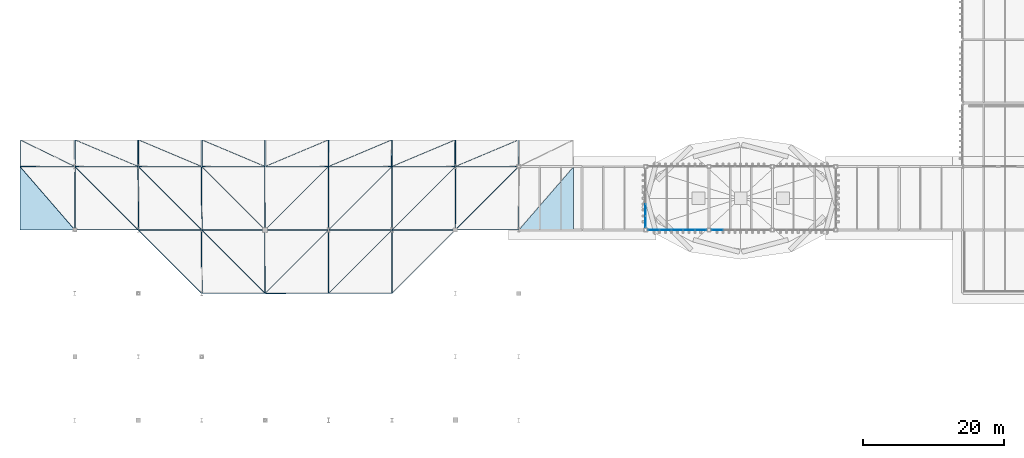
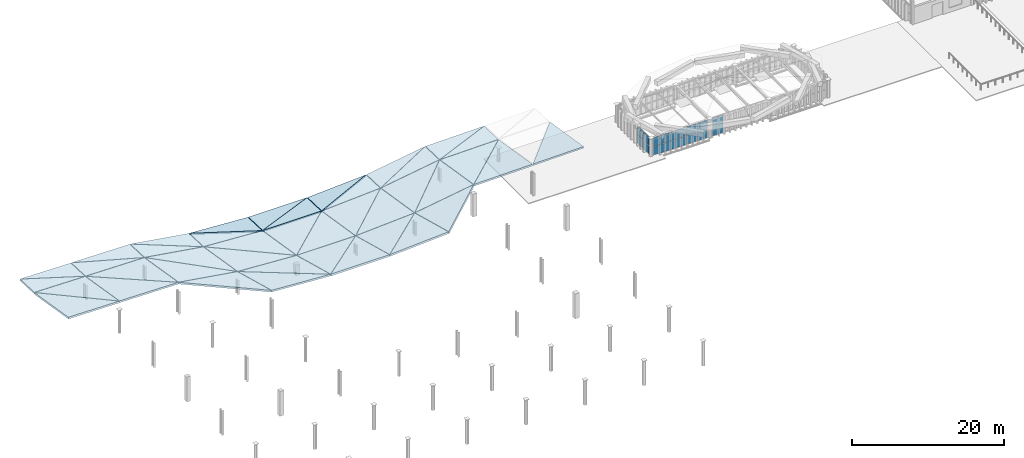
# One storey, part 79 of 102: 41 slabs, 16 plates, 3 elements without a shape of their own.
"""IFC4 building model written with IfcOpenShell, lengths in metres."""

from ifc_helpers import new_model, si_unit, direction, frame, origin, origin_2d, place, context, subcontext, project, spatial, polyline, rectangle, outline, extrude, material, layer, layer_set, type_object, element, aggregate, save


model = new_model("IFC4")

# Units and contexts
model_context = context("Model", 3, precision=1e-05, world=origin(), true_north=direction((0.0, 1.0)))
body_context = subcontext(model_context, "Body", "Model", "MODEL_VIEW")
ifc_project = project(units=[si_unit("LENGTHUNIT", "METRE"), si_unit("AREAUNIT", "SQUARE_METRE"), si_unit("VOLUMEUNIT", "CUBIC_METRE"), si_unit("PLANEANGLEUNIT", "RADIAN"), si_unit("MASSUNIT", "GRAM", prefix="KILO")], contexts=[model_context])

# Site, building, storey
site_placement = place(None, origin())
site = spatial("IfcSite", under=ifc_project, at=site_placement, CompositionType="ELEMENT")
building_placement = place(site_placement, origin())
building = spatial("IfcBuilding", under=site, at=building_placement, Name="Barlavento Convention Centre", CompositionType="ELEMENT")
storey_placement = place(building_placement, frame((0.0, 0.0, 22.800048828125)))
storey = spatial("IfcBuildingStorey", under=building, at=storey_placement, Name="L04", CompositionType="ELEMENT", Elevation=22.800048828125)

# Curtain wall, plates
ifc_material_1 = material(Name="Powder-coated aluminium and Low-E glass", Category="aluminium")
ifc_layer_1 = layer(ifc_material_1, 0.18505859375)
ifc_layer_set_1 = layer_set([ifc_layer_1], Name="ARC-CW-CONF-L04")
curtain_wall_type = type_object("IfcCurtainWallType", Name="ARC-CW-CONF-L04", PredefinedType="NOTDEFINED", material=ifc_layer_set_1)
curtain_wall_1_placement = place(storey_placement, origin())
curtain_wall_1 = element("IfcCurtainWall", 1, at=curtain_wall_1_placement, inside=storey, type_object=curtain_wall_type, Name="L04 unitised curtain wall CW09", PredefinedType="NOTDEFINED")
ifc_material_2 = material(Name="Double-silver Low-E acoustic laminated glass", Category="glass")
ifc_layer_2 = layer(ifc_material_2, 0.031982421875)
ifc_layer_set_2 = layer_set([ifc_layer_2], Name="ARC-CWP-GLZ32")
plate_type = type_object("IfcPlateType", Name="ARC-CWP-GLZ32", PredefinedType="CURTAIN_PANEL", material=ifc_layer_set_2)
plate_1_placement = place(storey_placement, frame((82.183349609375, 45.0, 0.06494140625), z_axis=(0.0, 0.0, 1.0), x_axis=(1.0, 0.0, 0.0)))
plate_1 = element("IfcPlate", 2, at=plate_1_placement, type_object=plate_type, Name="CW09 panel 1.1", PredefinedType="CURTAIN_PANEL", context=body_context, shape_type="SweptSolid", body=[
    extrude(rectangle(XDim=1.56884765625, YDim=0.031982421875, at=origin_2d()), origin(), (0.0, 0.0, 1.0), 1.402587890625),
])
plate_2_placement = place(storey_placement, frame((82.183349609375, 45.0, 1.5322265625), z_axis=(0.0, 0.0, 1.0), x_axis=(1.0, 0.0, 0.0)))
plate_2 = element("IfcPlate", 3, at=plate_2_placement, type_object=plate_type, Name="CW09 panel 1.2", PredefinedType="CURTAIN_PANEL", context=body_context, shape_type="SweptSolid", body=[
    extrude(rectangle(XDim=1.56884765625, YDim=0.031982421875, at=origin_2d()), origin(), (0.0, 0.0, 1.0), 1.402587890625),
])
plate_3_placement = place(storey_placement, frame((83.83349609375, 45.0, 0.06494140625), z_axis=(0.0, 0.0, 1.0), x_axis=(1.0, 0.0, 0.0)))
plate_3 = element("IfcPlate", 4, at=plate_3_placement, type_object=plate_type, Name="CW09 panel 2.1", PredefinedType="CURTAIN_PANEL", context=body_context, shape_type="SweptSolid", body=[
    extrude(rectangle(XDim=1.601318359375, YDim=0.031982421875, at=origin_2d()), origin(), (0.0, 0.0, 1.0), 1.402587890625),
])
plate_4_placement = place(storey_placement, frame((83.83349609375, 45.0, 1.5322265625), z_axis=(0.0, 0.0, 1.0), x_axis=(1.0, 0.0, 0.0)))
plate_4 = element("IfcPlate", 5, at=plate_4_placement, type_object=plate_type, Name="CW09 panel 2.2", PredefinedType="CURTAIN_PANEL", context=body_context, shape_type="SweptSolid", body=[
    extrude(rectangle(XDim=1.601318359375, YDim=0.031982421875, at=origin_2d()), origin(), (0.0, 0.0, 1.0), 1.402587890625),
])
plate_5_placement = place(storey_placement, frame((85.5, 45.0, 0.06494140625), z_axis=(0.0, 0.0, 1.0), x_axis=(1.0, 0.0, 0.0)))
plate_5 = element("IfcPlate", 6, at=plate_5_placement, type_object=plate_type, Name="CW09 panel 3.1", PredefinedType="CURTAIN_PANEL", context=body_context, shape_type="SweptSolid", body=[
    extrude(rectangle(XDim=1.601318359375, YDim=0.031982421875, at=origin_2d()), origin(), (0.0, 0.0, 1.0), 1.402587890625),
])
plate_6_placement = place(storey_placement, frame((85.5, 45.0, 1.5322265625), z_axis=(0.0, 0.0, 1.0), x_axis=(1.0, 0.0, 0.0)))
plate_6 = element("IfcPlate", 7, at=plate_6_placement, type_object=plate_type, Name="CW09 panel 3.2", PredefinedType="CURTAIN_PANEL", context=body_context, shape_type="SweptSolid", body=[
    extrude(rectangle(XDim=1.601318359375, YDim=0.031982421875, at=origin_2d()), origin(), (0.0, 0.0, 1.0), 1.402587890625),
])
plate_7_placement = place(storey_placement, frame((87.16650390625, 45.0, 0.06494140625), z_axis=(0.0, 0.0, 1.0), x_axis=(1.0, 0.0, 0.0)))
plate_7 = element("IfcPlate", 8, at=plate_7_placement, type_object=plate_type, Name="CW09 panel 4.1", PredefinedType="CURTAIN_PANEL", context=body_context, shape_type="SweptSolid", body=[
    extrude(rectangle(XDim=1.601318359375, YDim=0.031982421875, at=origin_2d()), origin(), (0.0, 0.0, 1.0), 1.402587890625),
])
plate_8_placement = place(storey_placement, frame((87.16650390625, 45.0, 1.5322265625), z_axis=(0.0, 0.0, 1.0), x_axis=(1.0, 0.0, 0.0)))
plate_8 = element("IfcPlate", 9, at=plate_8_placement, type_object=plate_type, Name="CW09 panel 4.2", PredefinedType="CURTAIN_PANEL", context=body_context, shape_type="SweptSolid", body=[
    extrude(rectangle(XDim=1.601318359375, YDim=0.031982421875, at=origin_2d()), origin(), (0.0, 0.0, 1.0), 1.402587890625),
])
plate_9_placement = place(storey_placement, frame((88.816650390625, 45.0, 0.06494140625), z_axis=(0.0, 0.0, 1.0), x_axis=(1.0, 0.0, 0.0)))
plate_9 = element("IfcPlate", 10, at=plate_9_placement, type_object=plate_type, Name="CW09 panel 5.1", PredefinedType="CURTAIN_PANEL", context=body_context, shape_type="SweptSolid", body=[
    extrude(rectangle(XDim=1.56884765625, YDim=0.031982421875, at=origin_2d()), origin(), (0.0, 0.0, 1.0), 1.402587890625),
])
plate_10_placement = place(storey_placement, frame((88.816650390625, 45.0, 1.5322265625), z_axis=(0.0, 0.0, 1.0), x_axis=(1.0, 0.0, 0.0)))
plate_10 = element("IfcPlate", 11, at=plate_10_placement, type_object=plate_type, Name="CW09 panel 5.2", PredefinedType="CURTAIN_PANEL", context=body_context, shape_type="SweptSolid", body=[
    extrude(rectangle(XDim=1.56884765625, YDim=0.031982421875, at=origin_2d()), origin(), (0.0, 0.0, 1.0), 1.402587890625),
])
aggregate(curtain_wall_1, [plate_1, plate_2, plate_3, plate_4, plate_5, plate_6, plate_7, plate_8, plate_9, plate_10])

curtain_wall_2_placement = place(storey_placement, origin())
curtain_wall_2 = element("IfcCurtainWall", 12, at=curtain_wall_2_placement, inside=storey, type_object=curtain_wall_type, Name="L04 unitised curtain wall CW09", PredefinedType="NOTDEFINED")
plate_11_placement = place(storey_placement, frame((91.183349609375, 45.0, 0.06494140625), z_axis=(0.0, 0.0, 1.0), x_axis=(1.0, 0.0, 0.0)))
plate_11 = element("IfcPlate", 13, at=plate_11_placement, type_object=plate_type, Name="CW09 panel 1.1", PredefinedType="CURTAIN_PANEL", context=body_context, shape_type="SweptSolid", body=[
    extrude(rectangle(XDim=1.56884765625, YDim=0.031982421875, at=origin_2d()), origin(), (0.0, 0.0, 1.0), 1.402587890625),
])
plate_12_placement = place(storey_placement, frame((91.183349609375, 45.0, 1.5322265625), z_axis=(0.0, 0.0, 1.0), x_axis=(1.0, 0.0, 0.0)))
plate_12 = element("IfcPlate", 14, at=plate_12_placement, type_object=plate_type, Name="CW09 panel 1.2", PredefinedType="CURTAIN_PANEL", context=body_context, shape_type="SweptSolid", body=[
    extrude(rectangle(XDim=1.56884765625, YDim=0.031982421875, at=origin_2d()), origin(), (0.0, 0.0, 1.0), 1.402587890625),
])
aggregate(curtain_wall_2, [plate_11, plate_12])

curtain_wall_3_placement = place(storey_placement, origin())
curtain_wall_3 = element("IfcCurtainWall", 15, at=curtain_wall_3_placement, inside=storey, type_object=curtain_wall_type, Name="L04 unitised curtain wall CW09", PredefinedType="NOTDEFINED")
plate_13_placement = place(storey_placement, frame((81.0, 46.183349609375, 0.06494140625), z_axis=(0.0, 0.0, 1.0), x_axis=(0.0, 1.0, 0.0)))
plate_13 = element("IfcPlate", 16, at=plate_13_placement, type_object=plate_type, Name="CW09 panel 1.1", PredefinedType="CURTAIN_PANEL", context=body_context, shape_type="SweptSolid", body=[
    extrude(rectangle(XDim=1.56884765625, YDim=0.031982421875, at=origin_2d()), origin(), (0.0, 0.0, 1.0), 1.402587890625),
])
plate_14_placement = place(storey_placement, frame((81.0, 46.183349609375, 1.5322265625), z_axis=(0.0, 0.0, 1.0), x_axis=(0.0, 1.0, 0.0)))
plate_14 = element("IfcPlate", 17, at=plate_14_placement, type_object=plate_type, Name="CW09 panel 1.2", PredefinedType="CURTAIN_PANEL", context=body_context, shape_type="SweptSolid", body=[
    extrude(rectangle(XDim=1.56884765625, YDim=0.031982421875, at=origin_2d()), origin(), (0.0, 0.0, 1.0), 1.402587890625),
])
plate_15_placement = place(storey_placement, frame((81.0, 47.83349609375, 0.06494140625), z_axis=(0.0, 0.0, 1.0), x_axis=(0.0, 1.0, 0.0)))
plate_15 = element("IfcPlate", 18, at=plate_15_placement, type_object=plate_type, Name="CW09 panel 2.1", PredefinedType="CURTAIN_PANEL", context=body_context, shape_type="SweptSolid", body=[
    extrude(rectangle(XDim=1.601318359375, YDim=0.031982421875, at=origin_2d()), origin(), (0.0, 0.0, 1.0), 1.402587890625),
])
plate_16_placement = place(storey_placement, frame((81.0, 47.83349609375, 1.5322265625), z_axis=(0.0, 0.0, 1.0), x_axis=(0.0, 1.0, 0.0)))
plate_16 = element("IfcPlate", 19, at=plate_16_placement, type_object=plate_type, Name="CW09 panel 2.2", PredefinedType="CURTAIN_PANEL", context=body_context, shape_type="SweptSolid", body=[
    extrude(rectangle(XDim=1.601318359375, YDim=0.031982421875, at=origin_2d()), origin(), (0.0, 0.0, 1.0), 1.402587890625),
])
aggregate(curtain_wall_3, [plate_13, plate_14, plate_15, plate_16])

# Slabs
ifc_material_3 = material(Name="Concrete C40/50", Category="concrete")
ifc_layer_3 = layer(ifc_material_3, 0.239990234375)
ifc_layer_set_3 = layer_set([ifc_layer_3], Name="STR-SLB-CONG-150")
slab_type_1 = type_object("IfcSlabType", Name="STR-SLB-CONG-150", PredefinedType="ROOF", material=ifc_layer_set_3)
slab_1_placement = place(storey_placement, frame((-0.02294921875, 54.022216796875, 3.62451171875), z_axis=(0.014498024225, 0.036450141525, 0.99923030102), x_axis=(-0.001555788706, 0.999334945686, -0.036431385539)))
element("IfcSlab", 20, at=slab_1_placement, inside=storey, type_object=slab_type_1, Name="Congress sweeping roof facet CRF-16", PredefinedType="ROOF", context=body_context, shape_type="SweptSolid", body=[
    extrude(outline(polyline([(0.0, 0.0), (3.7661765869865746, -1.3010426069826053e-18), (3.7807232683652505, 7.740790543622349), (0.0, 0.0)])), origin(), (0.0, 0.0, -1.0), 0.239990234375),
])
slab_2_placement = place(storey_placement, frame((8.985595703125, 45.028564453125, 4.94921875), z_axis=(0.014393017532, 0.160149133722, 0.98698789051), x_axis=(-0.000915619643, 0.9870918352, -0.160152647567)))
element("IfcSlab", 21, at=slab_2_placement, inside=storey, type_object=slab_type_1, Name="Congress sweeping roof facet CRF-30", PredefinedType="ROOF", context=body_context, shape_type="SweptSolid", body=[
    extrude(outline(polyline([(0.0, 0.0), (9.065752698622882, 3.469446951953614e-18), (9.061456188425241, 8.94966520428014), (0.0, 0.0)])), origin(), (0.0, 0.0, -1.0), 0.239990234375),
])
slab_3_placement = place(storey_placement, frame((0.029541015625, 54.012451171875, 3.62451171875), z_axis=(0.014460430667, 0.036610654055, 0.999224977647), x_axis=(0.999895434566, -0.000655400531, -0.01444612003)))
element("IfcSlab", 22, at=slab_3_placement, inside=storey, type_object=slab_type_1, Name="Congress sweeping roof facet CRF-31", PredefinedType="ROOF", context=body_context, shape_type="SweptSolid", body=[
    extrude(outline(polyline([(0.0, 0.0), (8.940143814391618, 8.673617379884035e-19), (-0.0056025197989427854, 3.769369806917324), (0.0, 0.0)])), origin(), (0.0, 0.0, -1.0), 0.239990234375),
])
slab_4_placement = place(storey_placement, frame((17.985595703125, 36.028564453125, 5.952392578125), z_axis=(0.150341850091, 0.256191914007, 0.954862833767), x_axis=(-0.000895939439, 0.965875417278, -0.259005551275)))
element("IfcSlab", 23, at=slab_4_placement, inside=storey, type_object=slab_type_1, Name="Congress sweeping roof facet CRF-02", PredefinedType="ROOF", context=body_context, shape_type="SweptSolid", body=[
    extrude(outline(polyline([(0.0, 0.0), (9.2648910083783, 5.551115123125783e-17), (8.916573025451074, 9.051929798667667), (0.0, 0.0)])), origin(), (0.0, 0.0, -1.0), 0.239990234375),
])
slab_5_placement = place(storey_placement, frame((9.022705078125, 45.022705078125, 4.9501953125), z_axis=(0.153395213919, 0.158499639121, 0.975370582264), x_axis=(0.987880489252, -0.000916351193, -0.15521372122)))
element("IfcSlab", 24, at=slab_5_placement, inside=storey, type_object=slab_type_1, Name="Congress sweeping roof facet CRF-03", PredefinedType="ROOF", context=body_context, shape_type="SweptSolid", body=[
    extrude(outline(polyline([(0.0, 0.0), (9.058515241577993, 5.551115123125783e-17), (0.20910668498830715, 9.063497288085621), (0.0, 0.0)])), origin(), (0.0, 0.0, -1.0), 0.239990234375),
])
slab_6_placement = place(storey_placement, frame((18.022705078125, 36.022705078125, 5.948486328125), z_axis=(0.058218550271, 0.258616725866, 0.964224034915), x_axis=(0.998196659382, -0.000925920402, -0.060021428419)))
element("IfcSlab", 25, at=slab_6_placement, inside=storey, type_object=slab_type_1, Name="Congress sweeping roof facet CRF-17", PredefinedType="ROOF", context=body_context, shape_type="SweptSolid", body=[
    extrude(outline(polyline([(0.0, 0.0), (8.964897232062352, -2.7755575615628914e-17), (0.12745928884146368, 9.264014223154943), (0.0, 0.0)])), origin(), (0.0, 0.0, -1.0), 0.239990234375),
])
slab_7_placement = place(storey_placement, frame((26.9755859375, 54.0205078125, 1.537353515625), z_axis=(0.060204712679, 0.036478784645, 0.997519268406), x_axis=(-0.001360078781, 0.99933407583, -0.036463064465)))
element("IfcSlab", 26, at=slab_7_placement, inside=storey, type_object=slab_type_1, Name="Congress sweeping roof facet CRF-22", PredefinedType="ROOF", context=body_context, shape_type="SweptSolid", body=[
    extrude(outline(polyline([(0.0, 0.0), (3.7696001115745097, 1.734723475976807e-18), (3.7679488403311567, 8.95546428302473), (0.0, 0.0)])), origin(), (0.0, 0.0, -1.0), 0.239990234375),
])
slab_8_placement = place(storey_placement, frame((27.014404296875, 45.028564453125, 2.99267578125), z_axis=(-6.7766619e-05, 0.16015277558, 0.987092236765), x_axis=(0.702502594272, 0.702502594272, -0.113930724922)))
element("IfcSlab", 27, at=slab_8_placement, inside=storey, type_object=slab_type_1, Name="Congress sweeping roof facet CRF-36", PredefinedType="ROOF", context=body_context, shape_type="SweptSolid", body=[
    extrude(outline(polyline([(0.0, 0.0), (12.75017533462242, 3.0531133177191805e-16), (6.457754199163444, 6.3628046249884935), (0.0, 0.0)])), origin(), (0.0, 0.0, -1.0), 0.239990234375),
])
slab_9_placement = place(storey_placement, frame((27.03125, 54.006591796875, 1.538330078125), z_axis=(3.263683e-06, 0.036659503174, 0.999327814492), x_axis=(0.999999784807, 0.000655468929, -2.7311205e-05)))
element("IfcSlab", 28, at=slab_9_placement, inside=storey, type_object=slab_type_1, Name="Congress sweeping roof facet CRF-37", PredefinedType="ROOF", context=body_context, shape_type="SweptSolid", body=[
    extrude(outline(polyline([(0.0, 0.0), (8.93921090802822, -1.111307226797642e-18), (8.946810684329188, 3.769375251388679), (0.0, 0.0)])), origin(), (0.0, 0.0, -1.0), 0.239990234375),
])
slab_10_placement = place(storey_placement, frame((36.014404296875, 36.028564453125, 5.406494140625), z_axis=(-0.058164259426, 0.258740197879, 0.964194186317), x_axis=(0.69957886188, 0.69957886188, -0.145529488494)))
element("IfcSlab", 29, at=slab_10_placement, inside=storey, type_object=slab_type_1, Name="Congress sweeping roof facet CRF-08", PredefinedType="ROOF", context=body_context, shape_type="SweptSolid", body=[
    extrude(outline(polyline([(0.0, 0.0), (12.80346182263042, 4.996003610813204e-16), (6.615548406861343, 6.4868008065805824), (0.0, 0.0)])), origin(), (0.0, 0.0, -1.0), 0.239990234375),
])
slab_11_placement = place(storey_placement, frame((36.028564453125, 45.014404296875, 2.996337890625), z_axis=(-0.059423537406, 0.159923409306, 0.985339203705), x_axis=(0.998195027403, 0.000925918888, 0.060048563197)))
element("IfcSlab", 30, at=slab_11_placement, inside=storey, type_object=slab_type_1, Name="Congress sweeping roof facet CRF-09", PredefinedType="ROOF", context=body_context, shape_type="SweptSolid", body=[
    extrude(outline(polyline([(0.0, 0.0), (8.964911889043751, 0.0), (8.894298719251443, 9.06547769137622), (0.0, 0.0)])), origin(), (0.0, 0.0, -1.0), 0.239990234375),
])
slab_12_placement = place(storey_placement, frame((45.0244140625, 54.0205078125, 2.084716796875), z_axis=(-0.155507714997, 0.036039196998, 0.987177049397), x_axis=(0.913580320873, 0.38537150013, 0.129845308734)))
element("IfcSlab", 31, at=slab_12_placement, inside=storey, type_object=slab_type_1, Name="Congress sweeping roof facet CRF-28", PredefinedType="ROOF", context=body_context, shape_type="SweptSolid", body=[
    extrude(outline(polyline([(0.0, 0.0), (9.790420976833124, -4.718447854656915e-16), (1.4386606593893414, 3.4842416248388597), (0.0, 0.0)])), origin(), (0.0, 0.0, -1.0), 0.239990234375),
])
slab_13_placement = place(storey_placement, frame((54.014404296875, 45.028564453125, 4.94921875), z_axis=(-0.014393017532, 0.160149133722, 0.98698789051), x_axis=(0.703282755587, 0.703282755587, -0.103859190192)))
element("IfcSlab", 32, at=slab_13_placement, inside=storey, type_object=slab_type_1, Name="Congress sweeping roof facet CRF-42", PredefinedType="ROOF", context=body_context, shape_type="SweptSolid", body=[
    extrude(outline(polyline([(0.0, 0.0), (12.736031388287829, -8.881784197001252e-16), (6.450119223890579, 6.370544245995412), (0.0, 0.0)])), origin(), (0.0, 0.0, -1.0), 0.239990234375),
])
slab_14_placement = place(storey_placement, frame((54.03125, 54.006591796875, 3.495361328125), z_axis=(-0.014460430667, 0.036610654055, 0.999224977647), x_axis=(0.999895434566, 0.000655400531, 0.01444612003)))
element("IfcSlab", 33, at=slab_14_placement, inside=storey, type_object=slab_type_1, Name="Congress sweeping roof facet CRF-01", PredefinedType="ROOF", context=body_context, shape_type="SweptSolid", body=[
    extrude(outline(polyline([(0.0, 0.0), (8.940143814391618, -8.673617379884035e-19), (8.945746334190561, 3.769369806917324), (0.0, 0.0)])), origin(), (0.0, 0.0, -1.0), 0.239990234375),
])
slab_15_placement = place(storey_placement, frame((63.027587890625, 45.01611328125, 5.083251953125), z_axis=(-0.014217318549, 0.160266426702, 0.986971397927), x_axis=(0.999898140433, 0.001039264209, 0.014234770377)))
element("IfcSlab", 34, at=slab_15_placement, inside=storey, type_object=slab_type_1, Name="Congress sweeping roof facet CRF-15", PredefinedType="ROOF", context=body_context, shape_type="SweptSolid", body=[
    extrude(outline(polyline([(0.0, 0.0), (7.752254485031858, 3.469446951953614e-18), (7.749174282387221, 9.063700635314467), (0.0, 0.0)])), origin(), (0.0, 0.0, -1.0), 0.239990234375),
])
ifc_layer_4 = layer(ifc_material_3, 0.2548828125)
ifc_layer_set_4 = layer_set([ifc_layer_4], Name="STR-SLB-CONG-165")
slab_type_2 = type_object("IfcSlabType", Name="STR-SLB-CONG-165", PredefinedType="ROOF", material=ifc_layer_set_4)
slab_16_placement = place(storey_placement, frame((-0.0126953125, 45.029296875, 5.07958984375), z_axis=(0.014404384416, 0.160161198512, 0.98698576697), x_axis=(-0.0009158427, 0.987089875168, -0.160164726368)))
element("IfcSlab", 35, at=slab_16_placement, inside=storey, type_object=slab_type_2, Name="Congress sweeping roof facet CRF-14", PredefinedType="ROOF", context=body_context, shape_type="SweptSolid", body=[
    extrude(outline(polyline([(0.0, 0.0), (9.063544696576017, 0.0), (9.060687179754407, 7.7520308333568995), (0.0, 0.0)])), origin(), (0.0, 0.0, -1.0), 0.2548828125),
])
slab_17_placement = place(storey_placement, frame((-7.771240234375, 54.013916015625, 3.737548828125), z_axis=(0.014464963306, 0.03664430057, 0.999223678699), x_axis=(0.999895334876, -0.000819999959, -0.014444614666)))
element("IfcSlab", 36, at=slab_17_placement, inside=storey, type_object=slab_type_2, Name="Congress sweeping roof facet CRF-15", PredefinedType="ROOF", context=body_context, shape_type="SweptSolid", body=[
    extrude(outline(polyline([(0.0, 0.0), (7.741044592390498, 0.0), (-0.006952490264128661, 3.766196924026804), (0.0, 0.0)])), origin(), (0.0, 0.0, -1.0), 0.2548828125),
])
slab_18_placement = place(storey_placement, frame((0.022705078125, 45.022705078125, 5.080810546875), z_axis=(0.014231305603, 0.160280536565, 0.986968905052), x_axis=(0.999897789477, -0.000927498359, -0.014267107107)))
element("IfcSlab", 37, at=slab_18_placement, inside=storey, type_object=slab_type_2, Name="Congress sweeping roof facet CRF-29", PredefinedType="ROOF", context=body_context, shape_type="SweptSolid", body=[
    extrude(outline(polyline([(0.0, 0.0), (8.949645216665559, 0.0), (0.0041320243691073295, 9.06594733589952), (0.0, 0.0)])), origin(), (0.0, 0.0, -1.0), 0.2548828125),
])
slab_19_placement = place(storey_placement, frame((17.9755859375, 54.0205078125, 2.084716796875), z_axis=(0.155507714997, 0.036039196998, 0.987177049397), x_axis=(-0.001360088391, 0.999341136987, -0.036269023766)))
element("IfcSlab", 38, at=slab_19_placement, inside=storey, type_object=slab_type_2, Name="Congress sweeping roof facet CRF-06", PredefinedType="ROOF", context=body_context, shape_type="SweptSolid", body=[
    extrude(outline(polyline([(0.0, 0.0), (3.7695734762880413, -3.469446951953614e-18), (3.7365218072628723, 9.049350677670915), (0.0, 0.0)])), origin(), (0.0, 0.0, -1.0), 0.2548828125),
])
slab_20_placement = place(storey_placement, frame((26.985595703125, 45.028564453125, 2.99267578125), z_axis=(0.059477111219, 0.159922946739, 0.985336046406), x_axis=(-0.000915619643, 0.9870918352, -0.160152647567)))
element("IfcSlab", 39, at=slab_20_placement, inside=storey, type_object=slab_type_2, Name="Congress sweeping roof facet CRF-20", PredefinedType="ROOF", context=body_context, shape_type="SweptSolid", body=[
    extrude(outline(polyline([(0.0, 0.0), (9.065752698622882, 0.0), (8.995846778606403, 8.964668666049525), (0.0, 0.0)])), origin(), (0.0, 0.0, -1.0), 0.2548828125),
])
slab_21_placement = place(storey_placement, frame((18.029541015625, 54.012451171875, 2.077392578125), z_axis=(0.060177663896, 0.036416602109, 0.997523172592), x_axis=(0.998186495118, -0.000654280374, -0.06019379438)))
element("IfcSlab", 40, at=slab_21_placement, inside=storey, type_object=slab_type_2, Name="Congress sweeping roof facet CRF-21", PredefinedType="ROOF", context=body_context, shape_type="SweptSolid", body=[
    extrude(outline(polyline([(0.0, 0.0), (8.955449736194847, 0.0), (0.0006767832417717149, 3.7693471779856655), (0.0, 0.0)])), origin(), (0.0, 0.0, -1.0), 0.2548828125),
])
slab_22_placement = place(storey_placement, frame((27.014404296875, 36.028564453125, 5.406494140625), z_axis=(-2.9563744e-05, 0.259128591556, 0.965842829949), x_axis=(0.694718460086, 0.694718460086, -0.186366634435)))
element("IfcSlab", 41, at=slab_22_placement, inside=storey, type_object=slab_type_2, Name="Congress sweeping roof facet CRF-34", PredefinedType="ROOF", context=body_context, shape_type="SweptSolid", body=[
    extrude(outline(polyline([(0.0, 0.0), (12.893037632666482, -3.3306690738754696e-16), (6.67005867838927, 6.430737333667434), (0.0, 0.0)])), origin(), (0.0, 0.0, -1.0), 0.2548828125),
])
slab_23_placement = place(storey_placement, frame((27.028564453125, 45.014404296875, 2.996337890625), z_axis=(9.3686603e-05, 0.160283821462, 0.987070963913), x_axis=(0.999999539641, 0.000927592742, -0.000245539255)))
element("IfcSlab", 42, at=slab_23_placement, inside=storey, type_object=slab_type_2, Name="Congress sweeping roof facet CRF-35", PredefinedType="ROOF", context=body_context, shape_type="SweptSolid", body=[
    extrude(outline(polyline([(0.0, 0.0), (8.948734588380649, 1.1384122811097797e-18), (8.965692942468051, 9.065932416754253), (0.0, 0.0)])), origin(), (0.0, 0.0, -1.0), 0.2548828125),
])
slab_24_placement = place(storey_placement, frame((36.028564453125, 36.014404296875, 5.410400390625), z_axis=(-0.058218550271, 0.258616725866, 0.964224034915), x_axis=(0.998196659382, 0.000925920402, 0.060021428419)))
element("IfcSlab", 43, at=slab_24_placement, inside=storey, type_object=slab_type_2, Name="Congress sweeping roof facet CRF-07", PredefinedType="ROOF", context=body_context, shape_type="SweptSolid", body=[
    extrude(outline(polyline([(0.0, 0.0), (8.964897232062352, 2.7755575615628914e-17), (8.837437943220888, 9.264014223154945), (0.0, 0.0)])), origin(), (0.0, 0.0, -1.0), 0.2548828125),
])
slab_25_placement = place(storey_placement, frame((36.0244140625, 54.0205078125, 1.537353515625), z_axis=(-0.060204712679, 0.036478784645, 0.997519268406), x_axis=(0.920592037581, 0.388329221225, 0.041360806143)))
element("IfcSlab", 44, at=slab_25_placement, inside=storey, type_object=slab_type_2, Name="Congress sweeping roof facet CRF-12", PredefinedType="ROOF", context=body_context, shape_type="SweptSolid", body=[
    extrude(outline(polyline([(0.0, 0.0), (9.715851943493403, 1.214306433183765e-16), (1.4619058062562806, 3.474581473331246), (0.0, 0.0)])), origin(), (0.0, 0.0, -1.0), 0.2548828125),
])
slab_26_placement = place(storey_placement, frame((45.014404296875, 45.028564453125, 3.538330078125), z_axis=(-0.153634662694, 0.158260553418, 0.97537171768), x_axis=(0.707102804954, 0.707102804954, -0.00335357305)))
element("IfcSlab", 45, at=slab_26_placement, inside=storey, type_object=slab_type_2, Name="Congress sweeping roof facet CRF-26", PredefinedType="ROOF", context=body_context, shape_type="SweptSolid", body=[
    extrude(outline(polyline([(0.0, 0.0), (12.667226303227489, -3.903127820947816e-16), (6.338406894340387, 6.481429382185509), (0.0, 0.0)])), origin(), (0.0, 0.0, -1.0), 0.2548828125),
])
slab_27_placement = place(storey_placement, frame((45.03125, 54.006591796875, 2.086669921875), z_axis=(-0.155427179989, 0.036361364623, 0.987177918555), x_axis=(0.987834621305, 0.000647495041, 0.155506725582)))
element("IfcSlab", 46, at=slab_27_placement, inside=storey, type_object=slab_type_2, Name="Congress sweeping roof facet CRF-27", PredefinedType="ROOF", context=body_context, shape_type="SweptSolid", body=[
    extrude(outline(polyline([(0.0, 0.0), (9.049297110649626, -6.938893903907228e-18), (9.035350193675658, 3.769348168189689), (0.0, 0.0)])), origin(), (0.0, 0.0, -1.0), 0.2548828125),
])
slab_28_placement = place(storey_placement, frame((54.028564453125, 45.014404296875, 4.953125), z_axis=(-0.014231305603, 0.160280536565, 0.986968905052), x_axis=(0.999897789477, 0.000927498359, 0.014267107107)))
element("IfcSlab", 47, at=slab_28_placement, inside=storey, type_object=slab_type_2, Name="Congress sweeping roof facet CRF-41", PredefinedType="ROOF", context=body_context, shape_type="SweptSolid", body=[
    extrude(outline(polyline([(0.0, 0.0), (8.949645216665559, 0.0), (8.945513192296453, 9.06594733589952), (0.0, 0.0)])), origin(), (0.0, 0.0, -1.0), 0.2548828125),
])
ifc_layer_5 = layer(ifc_material_3, 0.27001953125)
ifc_layer_set_5 = layer_set([ifc_layer_5], Name="STR-SLB-CONG-180")
slab_type_3 = type_object("IfcSlabType", Name="STR-SLB-CONG-180", PredefinedType="ROOF", material=ifc_layer_set_5)
slab_29_placement = place(storey_placement, frame((-7.779052734375, 45.024169921875, 5.193603515625), z_axis=(0.014217318549, 0.160266426702, 0.986971397927), x_axis=(0.999898140433, -0.001039264209, -0.014234770377)))
element("IfcSlab", 48, at=slab_29_placement, inside=storey, type_object=slab_type_3, Name="Congress sweeping roof facet CRF-13", PredefinedType="ROOF", context=body_context, shape_type="SweptSolid", body=[
    extrude(outline(polyline([(0.0, 0.0), (7.752254485031858, -3.469446951953614e-18), (0.0030802026446368654, 9.063700635314468), (0.0, 0.0)])), origin(), (0.0, 0.0, -1.0), 0.27001953125),
])
slab_30_placement = place(storey_placement, frame((8.9755859375, 54.0205078125, 3.494140625), z_axis=(0.014514982817, 0.036478985282, 0.999229002235), x_axis=(-0.001360078781, 0.99933407583, -0.036463064465)))
element("IfcSlab", 49, at=slab_30_placement, inside=storey, type_object=slab_type_3, Name="Congress sweeping roof facet CRF-32", PredefinedType="ROOF", context=body_context, shape_type="SweptSolid", body=[
    extrude(outline(polyline([(0.0, 0.0), (3.7696001115745097, 0.0), (3.782886589884867, 8.940141008582904), (0.0, 0.0)])), origin(), (0.0, 0.0, -1.0), 0.27001953125),
])
slab_31_placement = place(storey_placement, frame((17.985595703125, 45.028564453125, 3.538330078125), z_axis=(0.153634662694, 0.158260553418, 0.97537171768), x_axis=(-0.00091563938, 0.987113113126, -0.160021446996)))
element("IfcSlab", 50, at=slab_31_placement, inside=storey, type_object=slab_type_3, Name="Congress sweeping roof facet CRF-04", PredefinedType="ROOF", context=body_context, shape_type="SweptSolid", body=[
    extrude(outline(polyline([(0.0, 0.0), (9.065557279863128, 0.0), (8.85660219817829, 9.05644630748738), (0.0, 0.0)])), origin(), (0.0, 0.0, -1.0), 0.27001953125),
])
slab_32_placement = place(storey_placement, frame((9.029541015625, 54.012451171875, 3.493896484375), z_axis=(0.155427179989, 0.036361364623, 0.987177918555), x_axis=(0.987834621305, -0.000647495041, -0.155506725582)))
element("IfcSlab", 51, at=slab_32_placement, inside=storey, type_object=slab_type_3, Name="Congress sweeping roof facet CRF-05", PredefinedType="ROOF", context=body_context, shape_type="SweptSolid", body=[
    extrude(outline(polyline([(0.0, 0.0), (9.049297110649626, 6.938893903907228e-18), (0.013946916973968803, 3.769348168189689), (0.0, 0.0)])), origin(), (0.0, 0.0, -1.0), 0.27001953125),
])
slab_33_placement = place(storey_placement, frame((26.985595703125, 36.028564453125, 5.406494140625), z_axis=(0.058164259426, 0.258740197879, 0.964194186317), x_axis=(-0.000895908858, 0.965842449616, -0.259128462092)))
element("IfcSlab", 52, at=slab_33_placement, inside=storey, type_object=slab_type_3, Name="Congress sweeping roof facet CRF-18", PredefinedType="ROOF", context=body_context, shape_type="SweptSolid", body=[
    extrude(outline(polyline([(0.0, 0.0), (9.265207252284224, -2.7755575615628914e-17), (9.141934892188246, 8.96402036312646), (0.0, 0.0)])), origin(), (0.0, 0.0, -1.0), 0.27001953125),
])
slab_34_placement = place(storey_placement, frame((18.022705078125, 45.022705078125, 3.53466796875), z_axis=(0.059423537406, 0.159923409306, 0.985339203705), x_axis=(0.998195027403, -0.000925918888, -0.060048563197)))
element("IfcSlab", 53, at=slab_34_placement, inside=storey, type_object=slab_type_3, Name="Congress sweeping roof facet CRF-19", PredefinedType="ROOF", context=body_context, shape_type="SweptSolid", body=[
    extrude(outline(polyline([(0.0, 0.0), (8.964911889043751, 0.0), (0.07061316979230882, 9.06547769137622), (0.0, 0.0)])), origin(), (0.0, 0.0, -1.0), 0.27001953125),
])
slab_35_placement = place(storey_placement, frame((27.028564453125, 36.014404296875, 5.410400390625), z_axis=(-3.21345e-06, 0.259128568867, 0.965842836484), x_axis=(0.999999539641, 0.000927592742, -0.000245539255)))
element("IfcSlab", 54, at=slab_35_placement, inside=storey, type_object=slab_type_3, Name="Congress sweeping roof facet CRF-33", PredefinedType="ROOF", context=body_context, shape_type="SweptSolid", body=[
    extrude(outline(polyline([(0.0, 0.0), (8.948734588380649, 2.0599841277224584e-18), (8.965925653256217, 9.265191303749136), (0.0, 0.0)])), origin(), (0.0, 0.0, -1.0), 0.27001953125),
])
slab_36_placement = place(storey_placement, frame((27.0244140625, 54.0205078125, 1.537353515625), z_axis=(-2.3900454e-05, 0.036463130664, 0.999334998652), x_axis=(0.921288138306, 0.388622854279, -0.014157801667)))
element("IfcSlab", 55, at=slab_36_placement, inside=storey, type_object=slab_type_3, Name="Congress sweeping roof facet CRF-38", PredefinedType="ROOF", context=body_context, shape_type="SweptSolid", body=[
    extrude(outline(polyline([(0.0, 0.0), (9.708510905116707, 5.741934705483231e-16), (1.4706466149353943, 3.4708908849402955), (0.0, 0.0)])), origin(), (0.0, 0.0, -1.0), 0.27001953125),
])
slab_37_placement = place(storey_placement, frame((36.014404296875, 45.028564453125, 2.99267578125), z_axis=(-0.059477111219, 0.159922946739, 0.985336046406), x_axis=(0.705276862771, 0.705276862771, -0.071896409364)))
element("IfcSlab", 56, at=slab_37_placement, inside=storey, type_object=slab_type_3, Name="Congress sweeping roof facet CRF-10", PredefinedType="ROOF", context=body_context, shape_type="SweptSolid", body=[
    extrude(outline(polyline([(0.0, 0.0), (12.700021399832892, -6.38378239159465e-16), (6.4215736054288906, 6.399317496627829), (0.0, 0.0)])), origin(), (0.0, 0.0, -1.0), 0.27001953125),
])
slab_38_placement = place(storey_placement, frame((36.03125, 54.006591796875, 1.538330078125), z_axis=(-0.060177663896, 0.036416602109, 0.997523172592), x_axis=(0.998186495118, 0.000654280374, 0.06019379438)))
element("IfcSlab", 57, at=slab_38_placement, inside=storey, type_object=slab_type_3, Name="Congress sweeping roof facet CRF-11", PredefinedType="ROOF", context=body_context, shape_type="SweptSolid", body=[
    extrude(outline(polyline([(0.0, 0.0), (8.955449736194847, 0.0), (8.954772952953075, 3.7693471779856655), (0.0, 0.0)])), origin(), (0.0, 0.0, -1.0), 0.27001953125),
])
slab_39_placement = place(storey_placement, frame((45.014404296875, 36.028564453125, 5.952392578125), z_axis=(-0.150341850091, 0.256191914007, 0.954862833767), x_axis=(0.704944413325, 0.704944413325, -0.078145686028)))
element("IfcSlab", 58, at=slab_39_placement, inside=storey, type_object=slab_type_3, Name="Congress sweeping roof facet CRF-24", PredefinedType="ROOF", context=body_context, shape_type="SweptSolid", body=[
    extrude(outline(polyline([(0.0, 0.0), (12.70601068778904, -1.1102230246251565e-16), (6.5017320761773405, 6.600430698578369), (0.0, 0.0)])), origin(), (0.0, 0.0, -1.0), 0.27001953125),
])
slab_40_placement = place(storey_placement, frame((45.028564453125, 45.014404296875, 3.544189453125), z_axis=(-0.153395213919, 0.158499639121, 0.975370582264), x_axis=(0.987880489252, 0.000916351193, 0.15521372122)))
element("IfcSlab", 59, at=slab_40_placement, inside=storey, type_object=slab_type_3, Name="Congress sweeping roof facet CRF-25", PredefinedType="ROOF", context=body_context, shape_type="SweptSolid", body=[
    extrude(outline(polyline([(0.0, 0.0), (9.058515241577993, -5.551115123125783e-17), (8.849408556589687, 9.063497288085621), (0.0, 0.0)])), origin(), (0.0, 0.0, -1.0), 0.27001953125),
])
slab_41_placement = place(storey_placement, frame((54.0244140625, 54.0205078125, 3.494140625), z_axis=(-0.014514982817, 0.036478985282, 0.999229002235), x_axis=(0.921380186848, 0.388661682704, -0.000804786712)))
element("IfcSlab", 60, at=slab_41_placement, inside=storey, type_object=slab_type_3, Name="Congress sweeping roof facet CRF-02", PredefinedType="ROOF", context=body_context, shape_type="SweptSolid", body=[
    extrude(outline(polyline([(0.0, 0.0), (9.70754099683728, -5.821623565160916e-16), (1.4689579694744135, 3.4716058942656733), (0.0, 0.0)])), origin(), (0.0, 0.0, -1.0), 0.27001953125),
])

save(model, "model.ifc")
